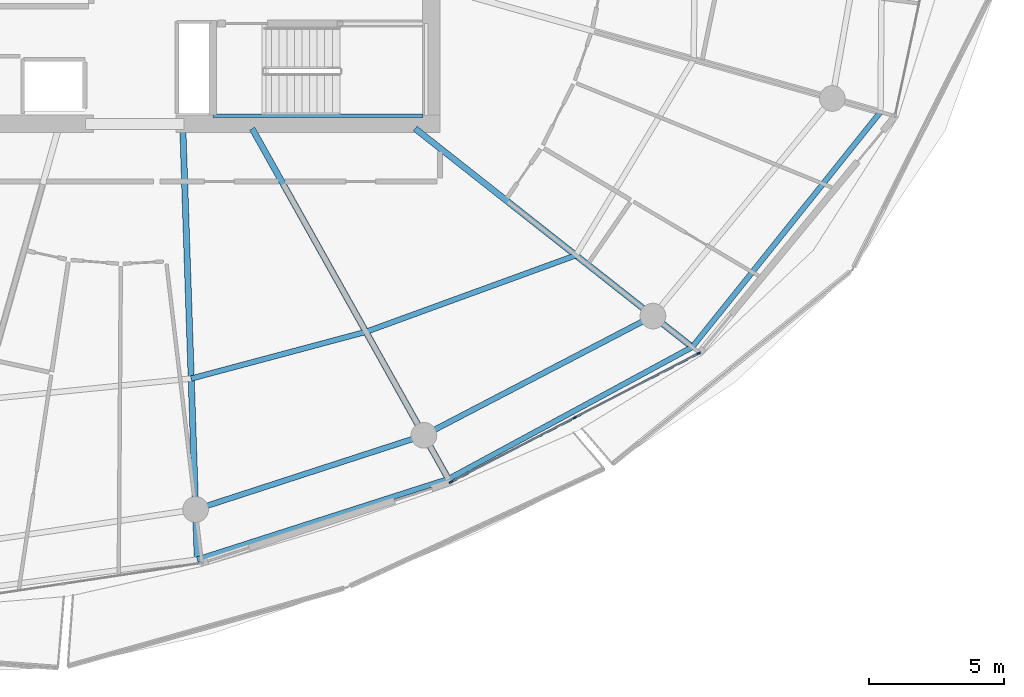
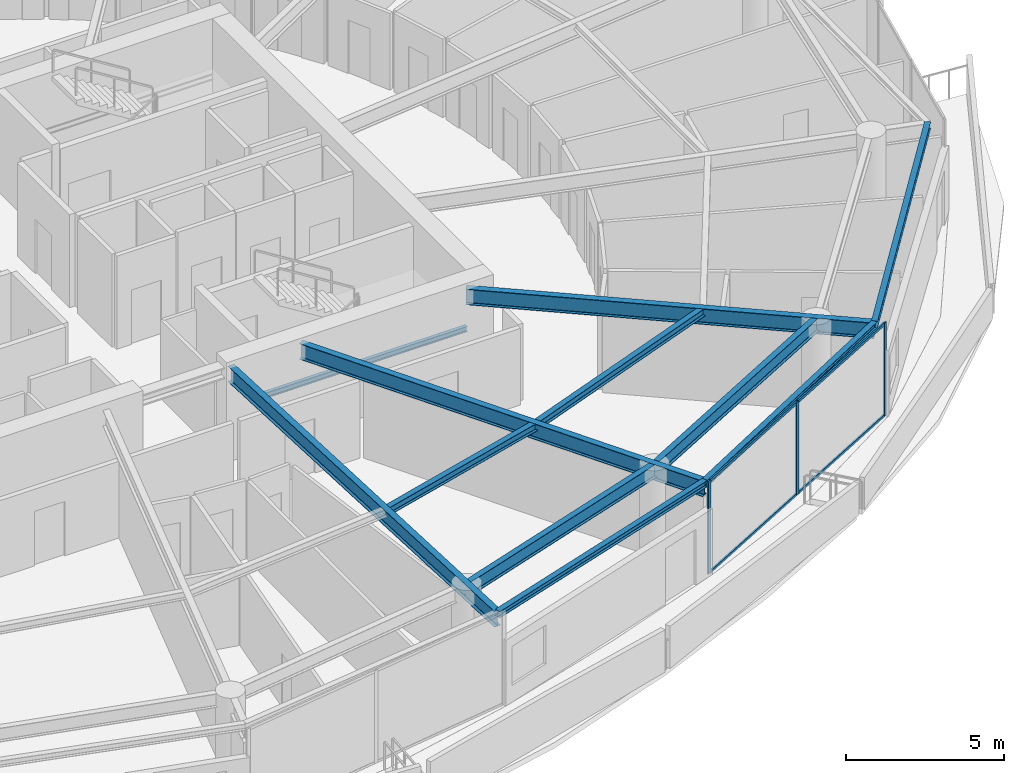
# One storey, part 10 of 30: 11 beams, 7 members, 1 element without a shape of its own.
"""IFC4 building model written with IfcOpenShell, lengths in metres."""

from ifc_helpers import new_model, si_unit, direction, frame, origin, origin_2d, place, context, subcontext, project, spatial, rectangle, i_section, extrude, material, layer, layer_set, material_profile, profile_set, type_object, element, aggregate, save


model = new_model("IFC4")

# Units and contexts
model_context = context("Model", 3, precision=1e-05, world=origin(), true_north=direction((0.0, 1.0)))
body_context = subcontext(model_context, "Body", "Model", "MODEL_VIEW")
ifc_project = project(units=[si_unit("LENGTHUNIT", "METRE"), si_unit("AREAUNIT", "SQUARE_METRE"), si_unit("VOLUMEUNIT", "CUBIC_METRE"), si_unit("PLANEANGLEUNIT", "RADIAN"), si_unit("MASSUNIT", "GRAM", prefix="KILO")], contexts=[model_context])

# Site, building, storey
site_placement = place(None, origin())
site = spatial("IfcSite", under=ifc_project, at=site_placement, CompositionType="ELEMENT")
building_placement = place(site_placement, origin())
building = spatial("IfcBuilding", under=site, at=building_placement, Name="Kazma Halo Residences", CompositionType="ELEMENT")
storey_placement = place(building_placement, frame((0.0, 0.0, 236.699951171875)))
storey = spatial("IfcBuildingStorey", under=building, at=storey_placement, Name="L59", CompositionType="ELEMENT", Elevation=236.699951171875)

# Beams
ifc_material_1 = material(Name="Steel S355", Category="steel")
ifc_material_profile_1 = material_profile(ifc_material_1, i_section(OverallWidth=0.201904296875, OverallDepth=0.2470703125, WebThickness=0.00732421875, FlangeThickness=0.010986328125, FilletRadius=0.011962890625, at=origin_2d()), Name="W250x49.1")
ifc_profile_set_1 = profile_set([ifc_material_profile_1], Name="Steel S355")
beam_type_1 = type_object("IfcBeamType", Name="BM-BAL-CANT", PredefinedType="BEAM", material=ifc_profile_set_1)
beam_1_placement = place(storey_placement, frame((50.7333984375, 17.580078125, 3.466552734375), z_axis=(0.952215866624, 0.305425839362, 0.0), x_axis=(-0.305425839362, 0.952215866624, 0.0)))
element("IfcBeam", 1, at=beam_1_placement, inside=storey, type_object=beam_type_1, Name="L59 wave-balcony tie beam 12", PredefinedType="BEAM", context=body_context, shape_type="SweptSolid", body=[
    extrude(i_section(OverallWidth=0.201904296875, OverallDepth=0.2470703125, WebThickness=0.00732421875, FlangeThickness=0.010986328125, FilletRadius=0.011962890625, at=origin_2d()), origin(), (0.0, 0.0, 1.0), 9.74169921875),
])
beam_2_placement = place(storey_placement, frame((60.009521484375, 20.555419921875, 3.466552734375), z_axis=(0.879517282036, 0.475866946321, 0.0), x_axis=(-0.475866946321, 0.879517282036, 0.0)))
element("IfcBeam", 2, at=beam_2_placement, inside=storey, type_object=beam_type_1, Name="L59 wave-balcony tie beam 13", PredefinedType="BEAM", context=body_context, shape_type="SweptSolid", body=[
    extrude(i_section(OverallWidth=0.201904296875, OverallDepth=0.2470703125, WebThickness=0.00732421875, FlangeThickness=0.010986328125, FilletRadius=0.011962890625, at=origin_2d()), origin(), (0.0, 0.0, 1.0), 10.243408203125),
])
beam_3_placement = place(storey_placement, frame((69.018798828125, 25.429931640625, 3.466552734375), z_axis=(0.625117912406, 0.780530329705, 0.0), x_axis=(-0.780530329705, 0.625117912406, 0.0)))
element("IfcBeam", 3, at=beam_3_placement, inside=storey, type_object=beam_type_1, Name="L59 wave-balcony tie beam 14", PredefinedType="BEAM", context=body_context, shape_type="SweptSolid", body=[
    extrude(i_section(OverallWidth=0.201904296875, OverallDepth=0.2470703125, WebThickness=0.00732421875, FlangeThickness=0.010986328125, FilletRadius=0.011962890625, at=origin_2d()), origin(), (0.0, 0.0, 1.0), 11.1220703125),
])
ifc_material_profile_2 = material_profile(ifc_material_1, i_section(OverallWidth=0.22802734375, OverallDepth=0.60791015625, WebThickness=0.01123046875, FlangeThickness=0.017333984375, FilletRadius=0.01806640625, at=origin_2d()), Name="W610x113")
ifc_profile_set_2 = profile_set([ifc_material_profile_2], Name="Steel S355")
beam_type_2 = type_object("IfcBeamType", Name="BM-RAD-W610", PredefinedType="BEAM", material=ifc_profile_set_2)
beam_4_placement = place(storey_placement, frame((50.199951171875, 33.5, 3.2861328125), z_axis=(0.03348936291, -0.999439073967, 0.0), x_axis=(0.999439073967, 0.03348936291, 0.0)))
element("IfcBeam", 4, at=beam_4_placement, inside=storey, type_object=beam_type_2, Name="L59 radial floor beam 12", PredefinedType="BEAM", context=body_context, shape_type="SweptSolid", body=[
    extrude(i_section(OverallWidth=0.22802734375, OverallDepth=0.60791015625, WebThickness=0.01123046875, FlangeThickness=0.017333984375, FilletRadius=0.01806640625, at=origin_2d()), origin(), (0.0, 0.0, 1.0), 15.928955078125),
])
beam_5_placement = place(storey_placement, frame((52.76025390625, 33.5, 3.2861328125), z_axis=(0.488618902548, -0.872497316943, 0.0), x_axis=(0.872497316943, 0.488618902548, 0.0)))
element("IfcBeam", 5, at=beam_5_placement, inside=storey, type_object=beam_type_2, Name="L59 radial floor beam 13", PredefinedType="BEAM", context=body_context, shape_type="SweptSolid", body=[
    extrude(i_section(OverallWidth=0.22802734375, OverallDepth=0.60791015625, WebThickness=0.01123046875, FlangeThickness=0.017333984375, FilletRadius=0.01806640625, at=origin_2d()), origin(), (0.0, 0.0, 1.0), 14.836181640625),
])
beam_6_placement = place(storey_placement, frame((58.7822265625, 33.5, 3.2861328125), z_axis=(0.785309266897, -0.619103670903, 0.0), x_axis=(0.619103670903, 0.785309266897, 0.0)))
element("IfcBeam", 6, at=beam_6_placement, inside=storey, type_object=beam_type_2, Name="L59 radial floor beam 14", PredefinedType="BEAM", context=body_context, shape_type="SweptSolid", body=[
    extrude(i_section(OverallWidth=0.22802734375, OverallDepth=0.60791015625, WebThickness=0.01123046875, FlangeThickness=0.017333984375, FilletRadius=0.01806640625, at=origin_2d()), origin(), (0.0, 0.0, 1.0), 13.03515625),
])
ifc_material_profile_3 = material_profile(ifc_material_1, i_section(OverallWidth=0.202880859375, OverallDepth=0.302978515625, WebThickness=0.007568359375, FlangeThickness=0.01318359375, FilletRadius=0.013916015625, at=origin_2d()), Name="W310x60")
ifc_profile_set_3 = profile_set([ifc_material_profile_3], Name="Steel S355")
beam_type_3 = type_object("IfcBeamType", Name="BM-SEC-W310A", PredefinedType="JOIST", material=ifc_profile_set_3)
beam_7_placement = place(storey_placement, frame((50.50927734375, 24.2666015625, 3.4384765625), z_axis=(0.966079519115, 0.258244772932, 0.0), x_axis=(-0.258244772932, 0.966079519115, 0.0)))
element("IfcBeam", 7, at=beam_7_placement, inside=storey, type_object=beam_type_3, Name="L59 circumferential floor joist 12", PredefinedType="JOIST", context=body_context, shape_type="SweptSolid", body=[
    extrude(i_section(OverallWidth=0.202880859375, OverallDepth=0.302978515625, WebThickness=0.007568359375, FlangeThickness=0.01318359375, FilletRadius=0.013916015625, at=origin_2d()), origin(), (0.0, 0.0, 1.0), 6.681884765625),
])
beam_8_placement = place(storey_placement, frame((56.964599609375, 25.9921875, 3.4384765625), z_axis=(0.93951330561, 0.342512406465, 0.0), x_axis=(-0.342512406465, 0.93951330561, 0.0)))
element("IfcBeam", 8, at=beam_8_placement, inside=storey, type_object=beam_type_3, Name="L59 circumferential floor joist 13", PredefinedType="JOIST", context=body_context, shape_type="SweptSolid", body=[
    extrude(i_section(OverallWidth=0.202880859375, OverallDepth=0.302978515625, WebThickness=0.007568359375, FlangeThickness=0.01318359375, FilletRadius=0.013916015625, at=origin_2d()), origin(), (0.0, 0.0, 1.0), 8.254150390625),
])
ifc_material_profile_4 = material_profile(ifc_material_1, i_section(OverallWidth=0.208984375, OverallDepth=0.532958984375, WebThickness=0.01025390625, FlangeThickness=0.015625, FilletRadius=0.01611328125, at=origin_2d()), Name="W530x92")
ifc_profile_set_4 = profile_set([ifc_material_profile_4], Name="Steel S355")
beam_type_4 = type_object("IfcBeamType", Name="BM-SPN-W530", PredefinedType="BEAM", material=ifc_profile_set_4)
beam_9_placement = place(storey_placement, frame((50.67138671875, 19.42919921875, 3.323486328125), z_axis=(0.951053893407, 0.309025066679, 0.0), x_axis=(-0.309025066679, 0.951053893407, 0.0)))
element("IfcBeam", 9, at=beam_9_placement, inside=storey, type_object=beam_type_4, Name="L59 perimeter ring beam 12", PredefinedType="BEAM", context=body_context, shape_type="SweptSolid", body=[
    extrude(i_section(OverallWidth=0.208984375, OverallDepth=0.532958984375, WebThickness=0.01025390625, FlangeThickness=0.015625, FilletRadius=0.01611328125, at=origin_2d()), origin(), (0.0, 0.0, 1.0), 8.8681640625),
])
beam_10_placement = place(storey_placement, frame((59.10546875, 22.169677734375, 3.323486328125), z_axis=(0.886961047115, 0.461844238788, 0.0), x_axis=(-0.461844238788, 0.886961047115, 0.0)))
element("IfcBeam", 10, at=beam_10_placement, inside=storey, type_object=beam_type_4, Name="L59 perimeter ring beam 13", PredefinedType="BEAM", context=body_context, shape_type="SweptSolid", body=[
    extrude(i_section(OverallWidth=0.208984375, OverallDepth=0.532958984375, WebThickness=0.01025390625, FlangeThickness=0.015625, FilletRadius=0.01611328125, at=origin_2d()), origin(), (0.0, 0.0, 1.0), 9.5390625),
])
ifc_material_profile_5 = material_profile(ifc_material_1, i_section(OverallWidth=0.133056640625, OverallDepth=0.20703125, WebThickness=0.005859375, FlangeThickness=0.00830078125, FilletRadius=0.010009765625, at=origin_2d()), Name="W200x26.6")
ifc_profile_set_5 = profile_set([ifc_material_profile_5], Name="Steel S355")
beam_type_5 = type_object("IfcBeamType", Name="BM-TRIM-W200", PredefinedType="BEAM", material=ifc_profile_set_5)
beam_11_placement = place(storey_placement, frame((51.31005859375, 33.97998046875, 1.6201171875), z_axis=(1.0, 0.0, 0.0), x_axis=(0.0, 1.0, 0.0)))
element("IfcBeam", 11, at=beam_11_placement, inside=storey, type_object=beam_type_5, Name="L59 ST-03 landing south wall ledger", PredefinedType="BEAM", context=body_context, shape_type="SweptSolid", body=[
    extrude(i_section(OverallWidth=0.133056640625, OverallDepth=0.20703125, WebThickness=0.005859375, FlangeThickness=0.00830078125, FilletRadius=0.010009765625, at=origin_2d()), origin(), (0.0, 0.0, 1.0), 7.760009765625),
])

# Curtain wall, members
ifc_material_2 = material(Name="Aluminium AW-6063 T6 and Triple-Silver Low-E Glass", Category="aluminium")
ifc_layer = layer(ifc_material_2, 0.139892578125)
ifc_layer_set = layer_set([ifc_layer], Name="Aluminium AW-6063 T6 and Triple-Silver Low-E Glass")
curtain_wall_type = type_object("IfcCurtainWallType", Name="CW-SYS-5", PredefinedType="NOTDEFINED", material=ifc_layer_set)
curtain_wall_placement = place(storey_placement, origin())
curtain_wall = element("IfcCurtainWall", 12, at=curtain_wall_placement, inside=storey, type_object=curtain_wall_type, Name="L59 unitised curtain wall B13", PredefinedType="NOTDEFINED")
ifc_material_3 = material(Name="Aluminium AW-6063 T6", Category="aluminium")
ifc_material_profile_6 = material_profile(ifc_material_3, rectangle(XDim=0.06005859375, YDim=0.139892578125, at=origin_2d()), Name="CWM-60x140")
ifc_profile_set_6 = profile_set([ifc_material_profile_6], Name="Aluminium AW-6063 T6")
member_type_1 = type_object("IfcMemberType", Name="CW-SYS-5-MUL", PredefinedType="MULLION", material=ifc_profile_set_6)
member_1_placement = place(storey_placement, frame((60.105224609375, 20.446044921875, 0.0), z_axis=(0.0, 0.0, 1.0), x_axis=(-0.460960760804, 0.887420518694, 0.0)))
member_1 = element("IfcMember", 13, at=member_1_placement, type_object=member_type_1, Name="CWS-5 mullion 1", PredefinedType="MULLION", context=body_context, shape_type="SweptSolid", body=[
    extrude(rectangle(XDim=0.06005859375, YDim=0.139892578125, at=origin_2d()), origin(), (0.0, 0.0, 1.0), 3.590087890625),
])
member_2_placement = place(storey_placement, frame((64.68408203125, 22.824462890625, 0.0), z_axis=(0.0, 0.0, 1.0), x_axis=(-0.460960760804, 0.887420518694, 0.0)))
member_2 = element("IfcMember", 14, at=member_2_placement, type_object=member_type_1, Name="CWS-5 mullion 2", PredefinedType="MULLION", context=body_context, shape_type="SweptSolid", body=[
    extrude(rectangle(XDim=0.06005859375, YDim=0.139892578125, at=origin_2d()), origin(), (0.0, 0.0, 1.0), 3.590087890625),
])
member_3_placement = place(storey_placement, frame((69.262939453125, 25.202880859375, 0.0), z_axis=(0.0, 0.0, 1.0), x_axis=(-0.460960760804, 0.887420518694, 0.0)))
member_3 = element("IfcMember", 15, at=member_3_placement, type_object=member_type_1, Name="CWS-5 mullion 3", PredefinedType="MULLION", context=body_context, shape_type="SweptSolid", body=[
    extrude(rectangle(XDim=0.06005859375, YDim=0.139892578125, at=origin_2d()), origin(), (0.0, 0.0, 1.0), 3.590087890625),
])
ifc_material_profile_7 = material_profile(ifc_material_3, rectangle(XDim=0.06005859375, YDim=0.10498046875, at=origin_2d()), Name="CWT-60x105")
ifc_profile_set_7 = profile_set([ifc_material_profile_7], Name="Aluminium AW-6063 T6")
member_type_2 = type_object("IfcMemberType", Name="CW-SYS-5-TRN", PredefinedType="USERDEFINED", material=ifc_profile_set_7)
member_4_placement = place(storey_placement, frame((60.1318359375, 20.4599609375, 0.030029296875), z_axis=(0.887436955863, 0.46092911534, 0.0), x_axis=(-0.46092911534, 0.887436955863, 0.0)))
member_4 = element("IfcMember", 16, at=member_4_placement, type_object=member_type_2, Name="CWS-5 transom 1.1", ObjectType="TRANSOM", PredefinedType="USERDEFINED", context=body_context, shape_type="SweptSolid", body=[
    extrude(rectangle(XDim=0.06005859375, YDim=0.10498046875, at=origin_2d()), origin(), (0.0, 0.0, 1.0), 5.099609375),
])
member_5_placement = place(storey_placement, frame((60.1318359375, 20.4599609375, 3.56005859375), z_axis=(0.887436955863, 0.46092911534, 0.0), x_axis=(-0.46092911534, 0.887436955863, 0.0)))
member_5 = element("IfcMember", 17, at=member_5_placement, type_object=member_type_2, Name="CWS-5 transom 1.2", ObjectType="TRANSOM", PredefinedType="USERDEFINED", context=body_context, shape_type="SweptSolid", body=[
    extrude(rectangle(XDim=0.06005859375, YDim=0.10498046875, at=origin_2d()), origin(), (0.0, 0.0, 1.0), 5.099609375),
])
member_6_placement = place(storey_placement, frame((64.710693359375, 22.83837890625, 0.030029296875), z_axis=(0.887436955863, 0.46092911534, 0.0), x_axis=(-0.46092911534, 0.887436955863, 0.0)))
member_6 = element("IfcMember", 18, at=member_6_placement, type_object=member_type_2, Name="CWS-5 transom 2.1", ObjectType="TRANSOM", PredefinedType="USERDEFINED", context=body_context, shape_type="SweptSolid", body=[
    extrude(rectangle(XDim=0.06005859375, YDim=0.10498046875, at=origin_2d()), origin(), (0.0, 0.0, 1.0), 5.099609375),
])
member_7_placement = place(storey_placement, frame((64.710693359375, 22.83837890625, 3.56005859375), z_axis=(0.887436955863, 0.46092911534, 0.0), x_axis=(-0.46092911534, 0.887436955863, 0.0)))
member_7 = element("IfcMember", 19, at=member_7_placement, type_object=member_type_2, Name="CWS-5 transom 2.2", ObjectType="TRANSOM", PredefinedType="USERDEFINED", context=body_context, shape_type="SweptSolid", body=[
    extrude(rectangle(XDim=0.06005859375, YDim=0.10498046875, at=origin_2d()), origin(), (0.0, 0.0, 1.0), 5.099609375),
])
aggregate(curtain_wall, [member_1, member_2, member_3, member_4, member_5, member_6, member_7])

save(model, "model.ifc")
